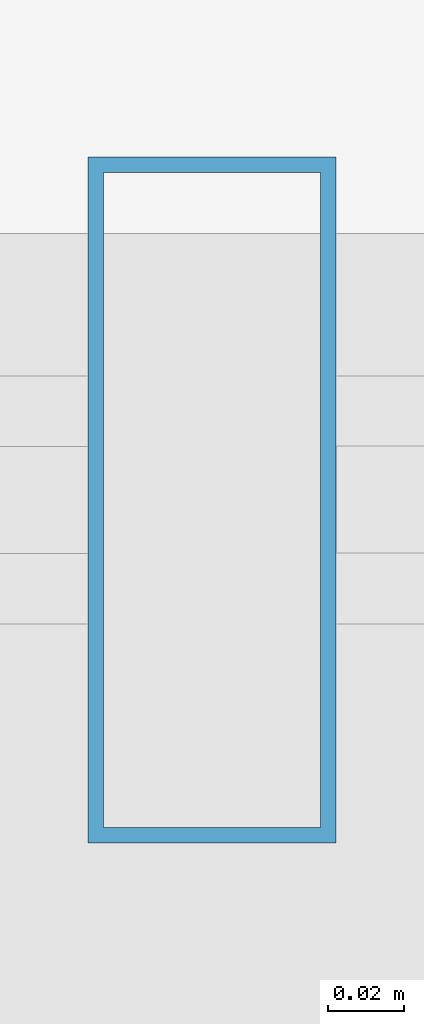
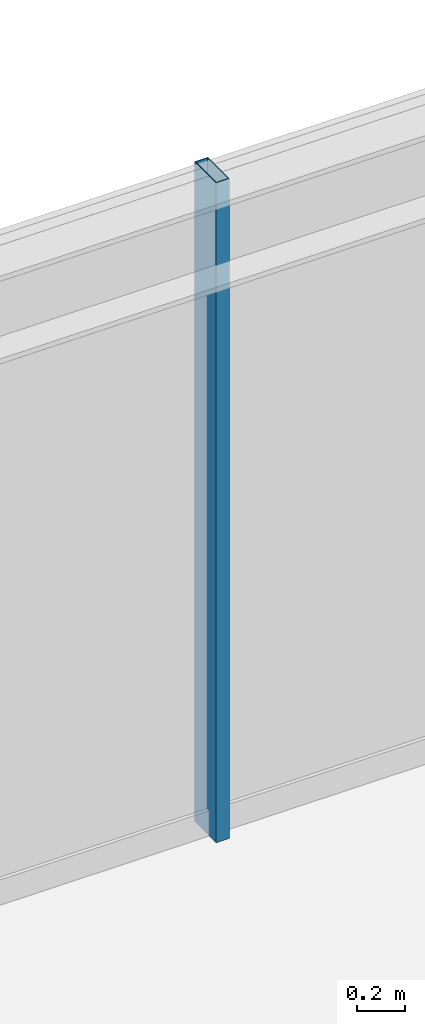
# One storey, part 21 of 32: 1 member, 1 element without a shape of its own.
"""IFC4 building model written with IfcOpenShell, lengths in metres."""

from ifc_helpers import new_model, si_unit, direction, frame, origin, origin_2d, place, context, subcontext, project, spatial, hollow_rectangle, extrude, source, transform, mapped, material, material_profile, profile_set, type_object, element, aggregate, save


model = new_model("IFC4")

# Units and contexts
model_context = context("Model", 3, precision=1e-05, world=origin(), true_north=direction((0.0, 1.0)))
body_context = subcontext(model_context, "Body", "Model", "MODEL_VIEW")
ifc_project = project(units=[si_unit("LENGTHUNIT", "METRE"), si_unit("AREAUNIT", "SQUARE_METRE"), si_unit("VOLUMEUNIT", "CUBIC_METRE"), si_unit("PLANEANGLEUNIT", "RADIAN"), si_unit("MASSUNIT", "GRAM", prefix="KILO")], contexts=[model_context])

# Site, building, storey
site_placement = place(None, origin())
site = spatial("IfcSite", under=ifc_project, at=site_placement, CompositionType="ELEMENT")
building_placement = place(site_placement, origin())
building = spatial("IfcBuilding", under=site, at=building_placement, Name="Nahalor Promenade Grand Hotel", CompositionType="ELEMENT")
storey_placement = place(building_placement, frame((0.0, 0.0, 152.64990234375)))
storey = spatial("IfcBuildingStorey", under=building, at=storey_placement, Name="L38", CompositionType="ELEMENT", Elevation=152.64990234375)

# Curtain wall, member
ifc_material = material(Name="Anodised Bronze Aluminium EN AW-6063 T6", Category="aluminium")
curtain_wall_type = type_object("IfcCurtainWallType", Name="CW2 Typical Hotel Flush Bronze Unitised Curtain Wall", PredefinedType="USERDEFINED", material=ifc_material)
curtain_wall_placement = place(storey_placement, origin())
curtain_wall = element("IfcCurtainWall", 1, at=curtain_wall_placement, inside=storey, type_object=curtain_wall_type, Name="L38 Curtain Wall CW-L38-N-3", ObjectType="UNITISED_CURTAIN_WALL", PredefinedType="USERDEFINED")
ifc_material_profile = material_profile(ifc_material, hollow_rectangle(XDim=0.065, YDim=0.18, WallThickness=0.004, at=origin_2d()), Name="CWM 65x180x4")
ifc_profile_set = profile_set([ifc_material_profile], Name="Anodised Bronze Aluminium EN AW-6063 T6")
member_type = type_object("IfcMemberType", Name="CWM2 Typical Bronze Mullion 65x180", PredefinedType="MULLION", material=ifc_profile_set)
shared_shape = source(origin(), body_context, "Body", "SweptSolid", [
    extrude(hollow_rectangle(XDim=0.065, YDim=0.18, WallThickness=0.004, at=origin_2d()), origin(), (0.0, 0.0, 1.0), 3.39013671875),
])
member_placement = place(storey_placement, frame((5.679931640625, 22.56005859375, 0.0), z_axis=(0.0, 0.0, 1.0), x_axis=(1.0, 0.0, 0.0)))
member = element("IfcMember", 2, at=member_placement, type_object=member_type, Name="CW-L38-N-3 Mullion 1", PredefinedType="MULLION", context=body_context, shape_type="MappedRepresentation", body=[
    mapped(shared_shape, transform((0.0, 0.0, 0.0), scale=1.0)),
])
aggregate(curtain_wall, [member])

save(model, "model.ifc")
